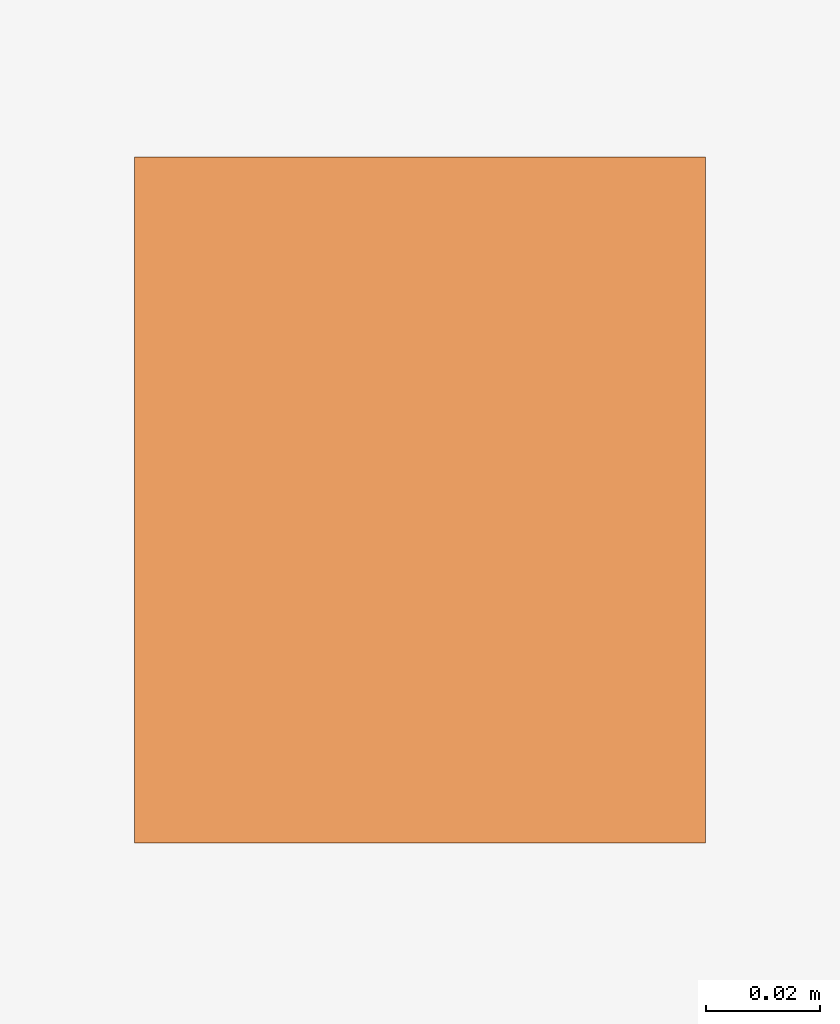
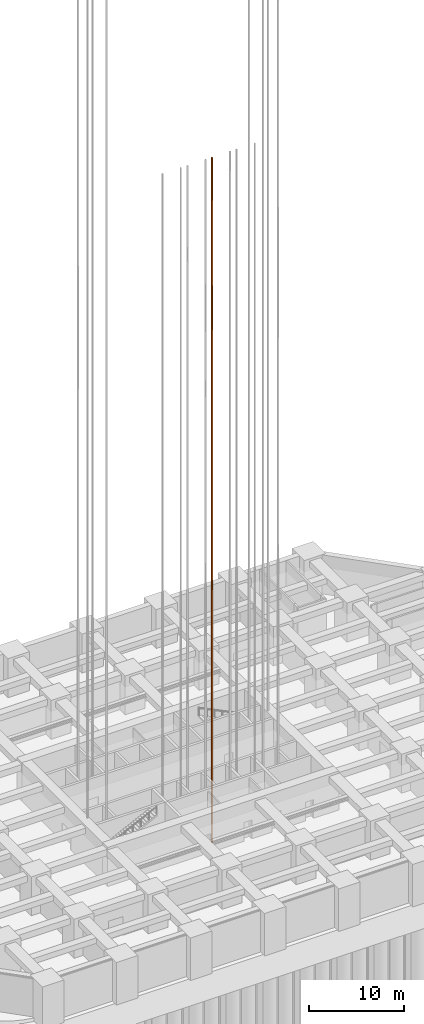
# One storey, part 16 of 24: 1 proxy.
"""IFC4 building model written with IfcOpenShell, lengths in metres."""

from ifc_helpers import new_model, si_unit, direction, frame, origin, origin_2d, place, context, subcontext, project, spatial, rectangle, extrude, element, save


model = new_model("IFC4")

# Units and contexts
model_context = context("Model", 3, precision=1e-05, world=origin(), true_north=direction((0.0, 1.0)))
body_context = subcontext(model_context, "Body", "Model", "MODEL_VIEW")
ifc_project = project(units=[si_unit("LENGTHUNIT", "METRE"), si_unit("AREAUNIT", "SQUARE_METRE"), si_unit("VOLUMEUNIT", "CUBIC_METRE"), si_unit("PLANEANGLEUNIT", "RADIAN"), si_unit("MASSUNIT", "GRAM", prefix="KILO")], contexts=[model_context])

# Site, building, storey
site_placement = place(None, origin())
site = spatial("IfcSite", under=ifc_project, at=site_placement, CompositionType="ELEMENT")
building_placement = place(site_placement, origin())
building = spatial("IfcBuilding", under=site, at=building_placement, Name="Zorevar Civic Tower", CompositionType="ELEMENT")
storey_placement = place(building_placement, frame((0.0, 0.0, -5.0)))
storey = spatial("IfcBuildingStorey", under=building, at=storey_placement, Name="B1", CompositionType="ELEMENT", Elevation=-5.0)

# Proxy
proxy_placement = place(storey_placement, frame((33.39990234375, 23.10009765625, -3.35009765625), z_axis=(0.0, 0.0, 1.0), x_axis=(1.0, 0.0, 0.0)))
element("IfcBuildingElementProxy", 1, at=proxy_placement, inside=storey, Name="Passenger lift LP3 guide rail 1", PredefinedType="NOTDEFINED", context=body_context, shape_type="SweptSolid", body=[
    extrude(rectangle(XDim=0.10009765625, YDim=0.1201171875, at=origin_2d()), origin(), (0.0, 0.0, 1.0), 88.0),
])

save(model, "model.ifc")
